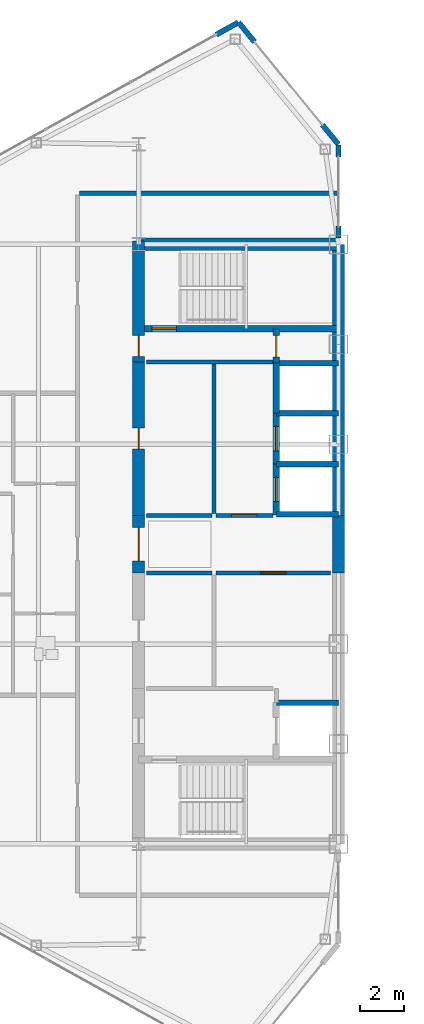
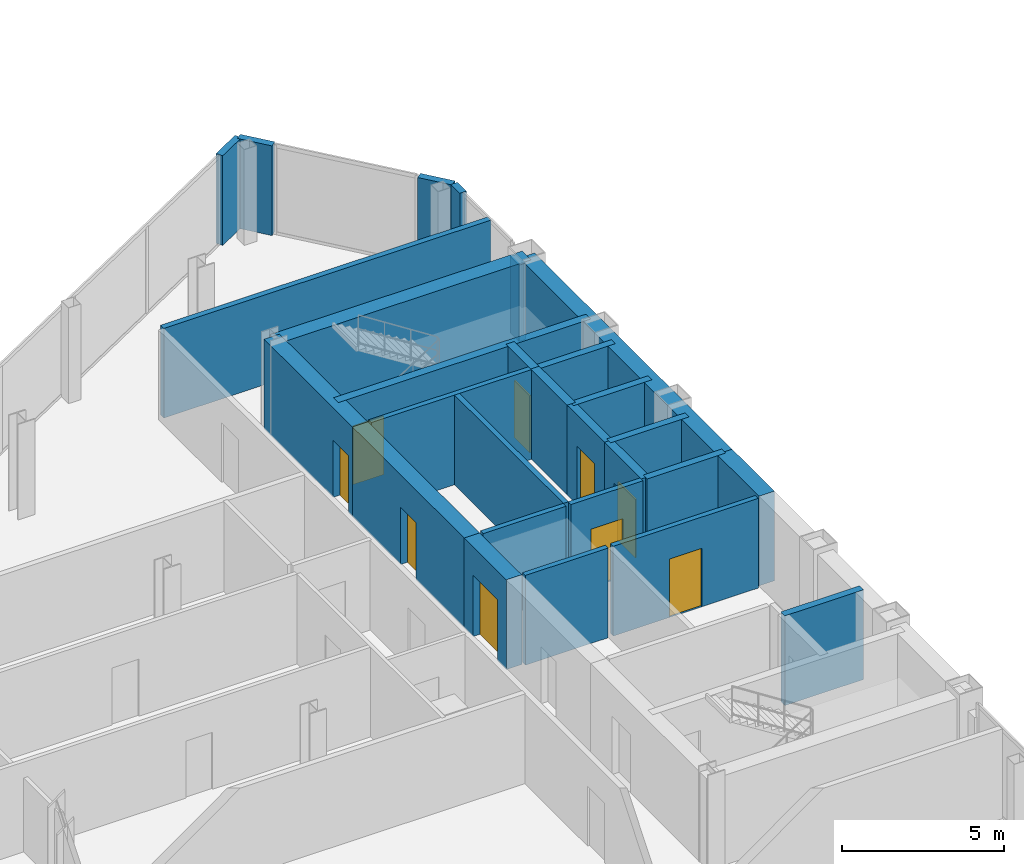
# One storey, part 20 of 25: 28 walls, 9 doors, 9 openings.
"""IFC4 building model written with IfcOpenShell, lengths in metres."""

from ifc_helpers import new_model, si_unit, direction, frame, frame_2d, origin, place, context, subcontext, project, spatial, rectangle, extrude, source, transform, mapped, material, layer, layer_set, type_object, type_shapes, element, fill, save


model = new_model("IFC4")

# Units and contexts
model_context = context("Model", 3, precision=1e-05, world=origin(), true_north=direction((0.0, 1.0)))
body_context = subcontext(model_context, "Body", "Model", "MODEL_VIEW")
ifc_project = project(units=[si_unit("LENGTHUNIT", "METRE"), si_unit("AREAUNIT", "SQUARE_METRE"), si_unit("VOLUMEUNIT", "CUBIC_METRE"), si_unit("PLANEANGLEUNIT", "RADIAN"), si_unit("MASSUNIT", "GRAM", prefix="KILO")], contexts=[model_context])

# Site, building, storey
site_placement = place(None, origin())
site = spatial("IfcSite", under=ifc_project, at=site_placement, CompositionType="ELEMENT")
building_placement = place(site_placement, origin())
building = spatial("IfcBuilding", under=site, at=building_placement, Name="Seokmaru Belvedere", CompositionType="ELEMENT")
storey_placement = place(building_placement, frame((0.0, 0.0, 188.699951171875)))
storey = spatial("IfcBuildingStorey", under=building, at=storey_placement, Name="L50", CompositionType="ELEMENT", Elevation=188.699951171875)

# Walls
ifc_material_1 = material(Name="Fire-Rated Gypsum Shaftwall")
ifc_layer_1 = layer(ifc_material_1, 0.179931640625)
ifc_layer_set_1 = layer_set([ifc_layer_1], Name="Fire-Rated Gypsum Shaftwall")
wall_type_1 = type_object("IfcWallType", Name="Core Service Fire Partition 180", PredefinedType="PARTITIONING", material=ifc_layer_set_1)
wall_1_placement = place(storey_placement, frame((-36.14990234375, 8.199951171875, 0.0), z_axis=(0.0, 0.0, 1.0), x_axis=(1.0, 0.0, 0.0)))
element("IfcWall", 1, at=wall_1_placement, inside=storey, type_object=wall_type_1, Name="L50 West Smokeproof Vestibule Partition", PredefinedType="PARTITIONING", context=body_context, shape_type="SweptSolid", body=[
    extrude(rectangle(XDim=5.699951171875, YDim=0.179931640625, at=frame_2d((2.85009765625, 0.0))), origin(), (0.0, 0.0, 1.0), 3.380126953125),
])
wall_2_placement = place(storey_placement, frame((-33.10009765625, 1.3798828125, 0.0), z_axis=(0.0, 0.0, 1.0), x_axis=(0.0, 1.0, 0.0)))
element("IfcWall", 2, at=wall_2_placement, inside=storey, type_object=wall_type_1, Name="L50 West North Core Service Back Wall", PredefinedType="PARTITIONING", context=body_context, shape_type="SweptSolid", body=[
    extrude(rectangle(XDim=6.740234375, YDim=0.179931640625, at=frame_2d((3.3701171875, 0.0))), origin(), (0.0, 0.0, 1.0), 3.380126953125),
])

# Wall, opening, door
wall_3_placement = place(storey_placement, frame((-33.02001953125, -1.300048828125, 0.0), z_axis=(0.0, 0.0, 1.0), x_axis=(1.0, 0.0, 0.0)))
wall_3 = element("IfcWall", 3, at=wall_3_placement, inside=storey, type_object=wall_type_1, Name="L50 West South Lift Lobby Foyer Wall", PredefinedType="PARTITIONING", context=body_context, shape_type="SweptSolid", body=[
    extrude(rectangle(XDim=5.169921875, YDim=0.179931640625, at=frame_2d((2.5849609375, 0.0))), origin(), (0.0, 0.0, 1.0), 3.380126953125),
])
opening_1_placement = place(wall_3_placement, frame((2.010009765625, 0.0, 0.0)))
opening_1 = element("IfcOpeningElement", 4, at=opening_1_placement, cuts=wall_3, Name="Opening D02", PredefinedType="OPENING", context=body_context, shape_type="SweptSolid", body=[
    extrude(rectangle(XDim=1.14990234375, YDim=2.199951171875, at=frame_2d((0.574951171875, 1.10009765625))), frame((0.0, 0.10009765625, 0.0), z_axis=(0.0, -1.0, 0.0), x_axis=(1.0, 0.0, 0.0)), (0.0, 0.0, 1.0), 0.199951171875),
])
ifc_material_2 = material(Name="Fire-Rated Steel Leaf", Category="steel")
door_type_1 = type_object("IfcDoorType", Name="Lobby and Vestibule Fire Door 1150x2200", OperationType="NOTDEFINED", PredefinedType="DOOR", material=ifc_material_2)
shared_shape_1 = source(origin(), body_context, "Body", "SweptSolid", [
    extrude(rectangle(XDim=1.14990234375, YDim=2.199951171875, at=frame_2d((0.574951171875, 1.10009765625))), frame((0.0, 0.02490234375, 0.0), z_axis=(0.0, -1.0, 0.0), x_axis=(1.0, 0.0, 0.0)), (0.0, 0.0, 1.0), 0.050048828125),
])
type_shapes(door_type_1, [shared_shape_1])
door_1_placement = place(opening_1_placement, origin())
door_1 = element("IfcDoor", 5, at=door_1_placement, inside=storey, type_object=door_type_1, Name="L50 West South Core Foyer Door", OperationType="SINGLE_SWING_LEFT", OverallHeight=2.199951171875, OverallWidth=1.14990234375, PredefinedType="DOOR", context=body_context, shape_type="MappedRepresentation", body=[
    mapped(shared_shape_1, transform((0.0, 0.0, 0.0), scale=1.0)),
])
fill(opening_1, door_1)

wall_4_placement = place(storey_placement, frame((-33.02001953125, 1.300048828125, 0.0), z_axis=(0.0, 0.0, 1.0), x_axis=(1.0, 0.0, 0.0)))
wall_4 = element("IfcWall", 6, at=wall_4_placement, inside=storey, type_object=wall_type_1, Name="L50 West North Lift Lobby Foyer Wall", PredefinedType="PARTITIONING", context=body_context, shape_type="SweptSolid", body=[
    extrude(rectangle(XDim=2.570068359375, YDim=0.179931640625, at=frame_2d((1.28515625, 0.0))), origin(), (0.0, 0.0, 1.0), 3.380126953125),
])
opening_2_placement = place(wall_4_placement, frame((0.7099609375, 0.0, 0.0)))
opening_2 = element("IfcOpeningElement", 7, at=opening_2_placement, cuts=wall_4, Name="Opening D02", PredefinedType="OPENING", context=body_context, shape_type="SweptSolid", body=[
    extrude(rectangle(XDim=1.14990234375, YDim=2.199951171875, at=frame_2d((0.574951171875, 1.10009765625))), frame((0.0, 0.10009765625, 0.0), z_axis=(0.0, -1.0, 0.0), x_axis=(1.0, 0.0, 0.0)), (0.0, 0.0, 1.0), 0.199951171875),
])
door_2_placement = place(opening_2_placement, origin())
door_2 = element("IfcDoor", 8, at=door_2_placement, inside=storey, type_object=door_type_1, Name="L50 West North Lift Lobby Door", OperationType="SINGLE_SWING_RIGHT", OverallHeight=2.199951171875, OverallWidth=1.14990234375, PredefinedType="DOOR", context=body_context, shape_type="MappedRepresentation", body=[
    mapped(shared_shape_1, transform((0.0, 0.0, 0.0), scale=1.0)),
])
fill(opening_2, door_2)

# Walls
for number, where, z_axis, x_axis, name in (
    (9, (-36.14990234375, -1.300048828125, 0.0), (0.0, 0.0, 1.0), (1.0, 0.0, 0.0), "L50 West Foyer Side Wall S"),
    (10, (-36.14990234375, 1.300048828125, 0.0), (0.0, 0.0, 1.0), (1.0, 0.0, 0.0), "L50 West Foyer Side Wall N"),
):
    element("IfcWall", number, at=place(storey_placement, frame(where, z_axis=z_axis, x_axis=x_axis)), inside=storey, type_object=wall_type_1, Name=name, PredefinedType="PARTITIONING", context=body_context, shape_type="SweptSolid", body=[
        extrude(rectangle(XDim=2.949951171875, YDim=0.179931640625, at=frame_2d((1.47509765625, 0.0))), origin(), (0.0, 0.0, 1.0), 3.380126953125),
    ])
ifc_material_3 = material(Name="Concrete C50 (50 MPa)", Category="concrete")
ifc_layer_2 = layer(ifc_material_3, 0.25)
ifc_layer_set_2 = layer_set([ifc_layer_2], Name="Concrete C50 (50 MPa)")
wall_type_2 = type_object("IfcWallType", Name="Hoistway Transverse Concrete Divider Wall 250", PredefinedType="SHEAR", material=ifc_layer_set_2)
for number, where, z_axis, x_axis, name in (
    (11, (-30.300048828125, -7.14990234375, 0.0), (0.0, 0.0, 1.0), (1.0, 0.0, 0.0), "L50 West Hoistway Divider Core Wall 1"),
    (12, (-30.300048828125, 1.35009765625, 0.0), (0.0, 0.0, 1.0), (1.0, 0.0, 0.0), "L50 West Hoistway Divider Core Wall 2"),
    (13, (-30.300048828125, 3.60009765625, 0.0), (0.0, 0.0, 1.0), (1.0, 0.0, 0.0), "L50 West Hoistway Divider Core Wall 3"),
    (14, (-30.300048828125, 5.89990234375, 0.0), (0.0, 0.0, 1.0), (1.0, 0.0, 0.0), "L50 West Hoistway Divider Core Wall 4"),
    (15, (-30.300048828125, 8.14990234375, 0.0), (0.0, 0.0, 1.0), (1.0, 0.0, 0.0), "L50 West Hoistway Divider Core Wall 5"),
):
    element("IfcWall", number, at=place(storey_placement, frame(where, z_axis=z_axis, x_axis=x_axis)), inside=storey, type_object=wall_type_2, Name=name, PredefinedType="SHEAR", context=body_context, shape_type="SweptSolid", body=[
        extrude(rectangle(XDim=2.800048828125, YDim=0.25, at=frame_2d((1.39990234375, 0.0))), origin(), (0.0, 0.0, 1.0), 3.380126953125),
    ])
ifc_layer_3 = layer(ifc_material_1, 0.199951171875)
ifc_layer_set_3 = layer_set([ifc_layer_3], Name="Fire-Rated Gypsum Shaftwall")
wall_type_3 = type_object("IfcWallType", Name="Inter-Tenancy Fire Compartment Partition 200", PredefinedType="PARTITIONING", material=ifc_layer_set_3)
wall_5_placement = place(storey_placement, frame((-39.1650390625, 15.800048828125, 0.0), z_axis=(0.0, 0.0, 1.0), x_axis=(1.0, 0.0, 0.0)))
element("IfcWall", 16, at=wall_5_placement, inside=storey, type_object=wall_type_3, Name="L50 Interior Partition 015", PredefinedType="PARTITIONING", context=body_context, shape_type="SweptSolid", body=[
    extrude(rectangle(XDim=11.6650390625, YDim=0.199951171875, at=frame_2d((5.83251953125, 0.0))), origin(), (0.0, 0.0, 1.0), 3.380126953125),
])

# Wall, opening, door
ifc_layer_4 = layer(ifc_material_3, 0.300048828125)
ifc_layer_set_4 = layer_set([ifc_layer_4], Name="Concrete C50 (50 MPa)")
wall_type_4 = type_object("IfcWallType", Name="Internal Core Stair and Hoistway Wall 300", PredefinedType="SHEAR", material=ifc_layer_set_4)
wall_6_placement = place(storey_placement, frame((-36.5, 9.699951171875, 0.0), z_axis=(0.0, 0.0, 1.0), x_axis=(1.0, 0.0, 0.0)))
wall_6 = element("IfcWall", 17, at=wall_6_placement, inside=storey, type_object=wall_type_4, Name="L50 West Stair ST-2 Enclosure Wall", PredefinedType="SHEAR", context=body_context, shape_type="SweptSolid", body=[
    extrude(rectangle(XDim=9.0, YDim=0.300048828125, at=frame_2d((4.5, 0.0))), origin(), (0.0, 0.0, 1.0), 3.380126953125),
])
opening_3_placement = place(wall_6_placement, frame((0.60009765625, 0.0, 0.0)))
opening_3 = element("IfcOpeningElement", 18, at=opening_3_placement, cuts=wall_6, Name="Opening D01", PredefinedType="OPENING", context=body_context, shape_type="SweptSolid", body=[
    extrude(rectangle(XDim=1.10009765625, YDim=2.199951171875, at=frame_2d((0.550048828125, 1.10009765625))), frame((0.0, 0.16015625, 0.0), z_axis=(0.0, -1.0, 0.0), x_axis=(1.0, 0.0, 0.0)), (0.0, 0.0, 1.0), 0.320068359375),
])
door_type_2 = type_object("IfcDoorType", Name="Special Escape Stair Smokeproof Fire Door 1100x2200", OperationType="NOTDEFINED", PredefinedType="DOOR", material=ifc_material_2)
shared_shape_2 = source(origin(), body_context, "Body", "SweptSolid", [
    extrude(rectangle(XDim=1.10009765625, YDim=2.199951171875, at=frame_2d((0.550048828125, 1.10009765625))), frame((0.0, 0.02490234375, 0.0), z_axis=(0.0, -1.0, 0.0), x_axis=(1.0, 0.0, 0.0)), (0.0, 0.0, 1.0), 0.050048828125),
])
type_shapes(door_type_2, [shared_shape_2])
door_3_placement = place(opening_3_placement, origin())
door_3 = element("IfcDoor", 19, at=door_3_placement, inside=storey, type_object=door_type_2, Name="L50 West Special Escape Stair ST-2 Door", OperationType="SINGLE_SWING_RIGHT", OverallHeight=2.199951171875, OverallWidth=1.10009765625, PredefinedType="DOOR", context=body_context, shape_type="MappedRepresentation", body=[
    mapped(shared_shape_2, transform((0.0, 0.0, 0.0), scale=1.0)),
])
fill(opening_3, door_3)

wall_7_placement = place(storey_placement, frame((-30.300048828125, 1.320068359375, 0.0), z_axis=(0.0, 0.0, 1.0), x_axis=(0.0, 1.0, 0.0)))
wall_7 = element("IfcWall", 20, at=wall_7_placement, inside=storey, type_object=wall_type_4, Name="L50 West North Hoistway Wall PH1", PredefinedType="SHEAR", context=body_context, shape_type="SweptSolid", body=[
    extrude(rectangle(XDim=2.280029296875, YDim=0.300048828125, at=frame_2d((1.14013671875, 0.0))), origin(), (0.0, 0.0, 1.0), 3.380126953125),
])
opening_4_placement = place(wall_7_placement, frame((0.590087890625, 0.0, 0.0)))
opening_4 = element("IfcOpeningElement", 21, at=opening_4_placement, cuts=wall_7, Name="Opening LD1", PredefinedType="OPENING", context=body_context, shape_type="SweptSolid", body=[
    extrude(rectangle(XDim=1.10009765625, YDim=2.199951171875, at=frame_2d((0.550048828125, 1.10009765625))), frame((0.0, 0.16015625, 0.0), z_axis=(0.0, -1.0, 0.0), x_axis=(1.0, 0.0, 0.0)), (0.0, 0.0, 1.0), 0.320068359375),
])
ifc_material_4 = material(Name="Stainless Steel 316", Category="steel")
door_type_3 = type_object("IfcDoorType", Name="Passenger Lift Sliding Landing Door 1100x2200", OperationType="DOUBLE_DOOR_SLIDING", PredefinedType="DOOR", material=ifc_material_4)
shared_shape_3 = source(origin(), body_context, "Body", "SweptSolid", [
    extrude(rectangle(XDim=1.10009765625, YDim=2.199951171875, at=frame_2d((0.550048828125, 1.10009765625))), frame((0.0, 0.02490234375, 0.0), z_axis=(0.0, -1.0, 0.0), x_axis=(1.0, 0.0, 0.0)), (0.0, 0.0, 1.0), 0.050048828125),
])
type_shapes(door_type_3, [shared_shape_3])
door_4_placement = place(opening_4_placement, origin())
door_4 = element("IfcDoor", 22, at=door_4_placement, inside=storey, type_object=door_type_3, Name="L50 West High-Rise Lift PH-1 Landing Door", OperationType="DOUBLE_DOOR_SLIDING", OverallHeight=2.199951171875, OverallWidth=1.10009765625, PredefinedType="DOOR", context=body_context, shape_type="MappedRepresentation", body=[
    mapped(shared_shape_3, transform((0.0, 0.0, 0.0), scale=1.0)),
])
fill(opening_4, door_4)

wall_8_placement = place(storey_placement, frame((-30.300048828125, 3.60009765625, 0.0), z_axis=(0.0, 0.0, 1.0), x_axis=(0.0, 1.0, 0.0)))
wall_8 = element("IfcWall", 23, at=wall_8_placement, inside=storey, type_object=wall_type_4, Name="L50 West North Hoistway Wall PH2", PredefinedType="SHEAR", context=body_context, shape_type="SweptSolid", body=[
    extrude(rectangle(XDim=2.2998046875, YDim=0.300048828125, at=frame_2d((1.14990234375, 0.0))), origin(), (0.0, 0.0, 1.0), 3.380126953125),
])
opening_5_placement = place(wall_8_placement, frame((0.60009765625, 0.0, 0.0)))
opening_5 = element("IfcOpeningElement", 24, at=opening_5_placement, cuts=wall_8, Name="Opening LD1", PredefinedType="OPENING", context=body_context, shape_type="SweptSolid", body=[
    extrude(rectangle(XDim=1.10009765625, YDim=2.199951171875, at=frame_2d((0.550048828125, 1.10009765625))), frame((0.0, 0.16015625, 0.0), z_axis=(0.0, -1.0, 0.0), x_axis=(1.0, 0.0, 0.0)), (0.0, 0.0, 1.0), 0.320068359375),
])
door_5_placement = place(opening_5_placement, origin())
door_5 = element("IfcDoor", 25, at=door_5_placement, inside=storey, type_object=door_type_3, Name="L50 West High-Rise Lift PH-2 Landing Door", OperationType="DOUBLE_DOOR_SLIDING", OverallHeight=2.199951171875, OverallWidth=1.10009765625, PredefinedType="DOOR", context=body_context, shape_type="MappedRepresentation", body=[
    mapped(shared_shape_3, transform((0.0, 0.0, 0.0), scale=1.0)),
])
fill(opening_5, door_5)

# Wall
wall_9_placement = place(storey_placement, frame((-30.300048828125, 5.89990234375, 0.0), z_axis=(0.0, 0.0, 1.0), x_axis=(0.0, 1.0, 0.0)))
element("IfcWall", 26, at=wall_9_placement, inside=storey, type_object=wall_type_4, Name="L50 West North Hoistway Wall OBS", PredefinedType="SHEAR", context=body_context, shape_type="SweptSolid", body=[
    extrude(rectangle(XDim=2.25, YDim=0.300048828125, at=frame_2d((1.125, 0.0))), origin(), (0.0, 0.0, 1.0), 3.380126953125),
])

# Wall, opening, door
wall_10_placement = place(storey_placement, frame((-30.300048828125, 8.14990234375, 0.0), z_axis=(0.0, 0.0, 1.0), x_axis=(0.0, 1.0, 0.0)))
wall_10 = element("IfcWall", 27, at=wall_10_placement, inside=storey, type_object=wall_type_4, Name="L50 West Electrical Riser Front Wall", PredefinedType="SHEAR", context=body_context, shape_type="SweptSolid", body=[
    extrude(rectangle(XDim=1.530029296875, YDim=0.300048828125, at=frame_2d((0.76513671875, 0.0))), origin(), (0.0, 0.0, 1.0), 3.380126953125),
])
opening_6_placement = place(wall_10_placement, frame((0.284912109375, 0.0, 0.0)))
opening_6 = element("IfcOpeningElement", 28, at=opening_6_placement, cuts=wall_10, Name="Opening D04", PredefinedType="OPENING", context=body_context, shape_type="SweptSolid", body=[
    extrude(rectangle(XDim=0.949951171875, YDim=2.14990234375, at=frame_2d((0.47509765625, 1.074951171875))), frame((0.0, 0.16015625, 0.0), z_axis=(0.0, -1.0, 0.0), x_axis=(1.0, 0.0, 0.0)), (0.0, 0.0, 1.0), 0.320068359375),
])
door_type_4 = type_object("IfcDoorType", Name="Core Service Room Fire Door 950x2150", OperationType="NOTDEFINED", PredefinedType="DOOR", material=ifc_material_2)
shared_shape_4 = source(origin(), body_context, "Body", "SweptSolid", [
    extrude(rectangle(XDim=0.949951171875, YDim=2.14990234375, at=frame_2d((0.47509765625, 1.074951171875))), frame((0.0, 0.02490234375, 0.0), z_axis=(0.0, -1.0, 0.0), x_axis=(1.0, 0.0, 0.0)), (0.0, 0.0, 1.0), 0.050048828125),
])
type_shapes(door_type_4, [shared_shape_4])
door_6_placement = place(opening_6_placement, origin())
door_6 = element("IfcDoor", 29, at=door_6_placement, inside=storey, type_object=door_type_4, Name="L50 West Electrical Riser Access Door", OperationType="SINGLE_SWING_LEFT", OverallHeight=2.14990234375, OverallWidth=0.949951171875, PredefinedType="DOOR", context=body_context, shape_type="MappedRepresentation", body=[
    mapped(shared_shape_4, transform((0.0, 0.0, 0.0), scale=1.0)),
])
fill(opening_6, door_6)

# Walls
ifc_layer_5 = layer(ifc_material_3, 0.550048828125)
ifc_layer_set_5 = layer_set([ifc_layer_5], Name="Concrete C50 (50 MPa)")
wall_type_5 = type_object("IfcWallType", Name="Mid-High Reinforced Concrete Core Wall 550", PredefinedType="SHEAR", material=ifc_layer_set_5)
wall_11_placement = place(storey_placement, frame((-27.5, 1.300048828125, 0.0), z_axis=(0.0, 0.0, 1.0), x_axis=(0.0, 1.0, 0.0)))
element("IfcWall", 30, at=wall_11_placement, inside=storey, type_object=wall_type_5, Name="L50 West Portal Spine Core Wall North", PredefinedType="SHEAR", context=body_context, shape_type="SweptSolid", body=[
    extrude(rectangle(XDim=12.199951171875, YDim=0.550048828125, at=frame_2d((6.10009765625, 0.0))), origin(), (0.0, 0.0, 1.0), 3.380126953125),
])
wall_12_placement = place(storey_placement, frame((-27.5, -1.300048828125, 0.0), z_axis=(0.0, 0.0, 1.0), x_axis=(0.0, 1.0, 0.0)))
element("IfcWall", 31, at=wall_12_placement, inside=storey, type_object=wall_type_5, Name="L50 West Portal Spine Core Wall Center", PredefinedType="SHEAR", context=body_context, shape_type="SweptSolid", body=[
    extrude(rectangle(XDim=2.60009765625, YDim=0.550048828125, at=frame_2d((1.300048828125, 0.0))), origin(), (0.0, 0.0, 1.0), 3.380126953125),
])
wall_13_placement = place(storey_placement, frame((-36.5, 13.5, 0.0), z_axis=(0.0, 0.0, 1.0), x_axis=(1.0, 0.0, 0.0)))
element("IfcWall", 32, at=wall_13_placement, inside=storey, type_object=wall_type_5, Name="L50 West North Core Wall", PredefinedType="SHEAR", context=body_context, shape_type="SweptSolid", body=[
    extrude(rectangle(XDim=9.0, YDim=0.550048828125, at=frame_2d((4.5, 0.0))), origin(), (0.0, 0.0, 1.0), 3.380126953125),
])

# Wall, opening, door
wall_14_placement = place(storey_placement, frame((-36.5, -1.300048828125, 0.0), z_axis=(0.0, 0.0, 1.0), x_axis=(0.0, 1.0, 0.0)))
wall_14 = element("IfcWall", 33, at=wall_14_placement, inside=storey, type_object=wall_type_5, Name="L50 West West Core Wall FOY", PredefinedType="SHEAR", context=body_context, shape_type="SweptSolid", body=[
    extrude(rectangle(XDim=2.60009765625, YDim=0.550048828125, at=frame_2d((1.300048828125, 0.0))), origin(), (0.0, 0.0, 1.0), 3.380126953125),
])
opening_7_placement = place(wall_14_placement, frame((0.550048828125, 0.0, 0.0)))
opening_7 = element("IfcOpeningElement", 34, at=opening_7_placement, cuts=wall_14, Name="Opening D08", PredefinedType="OPENING", context=body_context, shape_type="SweptSolid", body=[
    extrude(rectangle(XDim=1.5, YDim=2.300048828125, at=frame_2d((0.75, 1.14990234375))), frame((0.0, 0.28515625, 0.0), z_axis=(0.0, -1.0, 0.0), x_axis=(1.0, 0.0, 0.0)), (0.0, 0.0, 1.0), 0.570068359375),
])
door_type_5 = type_object("IfcDoorType", Name="Cross-Corridor Compartment Double Fire Door 1500x2300", OperationType="DOUBLE_SWING_LEFT", PredefinedType="DOOR", material=ifc_material_2)
shared_shape_5 = source(origin(), body_context, "Body", "SweptSolid", [
    extrude(rectangle(XDim=1.5, YDim=2.300048828125, at=frame_2d((0.75, 1.14990234375))), frame((0.0, 0.02490234375, 0.0), z_axis=(0.0, -1.0, 0.0), x_axis=(1.0, 0.0, 0.0)), (0.0, 0.0, 1.0), 0.050048828125),
])
type_shapes(door_type_5, [shared_shape_5])
door_7_placement = place(opening_7_placement, origin())
door_7 = element("IfcDoor", 35, at=door_7_placement, inside=storey, type_object=door_type_5, Name="L50 West Core Foyer Compartment Door", OperationType="DOUBLE_SWING_LEFT", OverallHeight=2.300048828125, OverallWidth=1.5, PredefinedType="DOOR", context=body_context, shape_type="MappedRepresentation", body=[
    mapped(shared_shape_5, transform((0.0, 0.0, 0.0), scale=1.0)),
])
fill(opening_7, door_7)

wall_15_placement = place(storey_placement, frame((-36.5, 8.199951171875, 0.0), z_axis=(0.0, 0.0, 1.0), x_axis=(0.0, 1.0, 0.0)))
wall_15 = element("IfcWall", 36, at=wall_15_placement, inside=storey, type_object=wall_type_5, Name="L50 West West Core Wall VST", PredefinedType="SHEAR", context=body_context, shape_type="SweptSolid", body=[
    extrude(rectangle(XDim=5.449951171875, YDim=0.550048828125, at=frame_2d((2.72509765625, 0.0))), origin(), (0.0, 0.0, 1.0), 3.380126953125),
])
opening_8_placement = place(wall_15_placement, frame((0.2451171875, 0.0, 0.0)))
opening_8 = element("IfcOpeningElement", 37, at=opening_8_placement, cuts=wall_15, Name="Opening D04", PredefinedType="OPENING", context=body_context, shape_type="SweptSolid", body=[
    extrude(rectangle(XDim=0.949951171875, YDim=2.14990234375, at=frame_2d((0.47509765625, 1.074951171875))), frame((0.0, 0.28515625, 0.0), z_axis=(0.0, -1.0, 0.0), x_axis=(1.0, 0.0, 0.0)), (0.0, 0.0, 1.0), 0.570068359375),
])
door_8_placement = place(opening_8_placement, frame((0.949951171875, 0.0, 0.0), z_axis=(0.0, 0.0, 1.0), x_axis=(-1.0, 0.0, 0.0)))
door_8 = element("IfcDoor", 38, at=door_8_placement, inside=storey, type_object=door_type_4, Name="L50 West Smokeproof Vestibule Door", OperationType="SINGLE_SWING_RIGHT", OverallHeight=2.14990234375, OverallWidth=0.949951171875, PredefinedType="DOOR", context=body_context, shape_type="MappedRepresentation", body=[
    mapped(shared_shape_4, transform((0.0, 0.0, 0.0), scale=1.0)),
])
fill(opening_8, door_8)

wall_16_placement = place(storey_placement, frame((-36.5, 1.300048828125, 0.0), z_axis=(0.0, 0.0, 1.0), x_axis=(0.0, 1.0, 0.0)))
wall_16 = element("IfcWall", 39, at=wall_16_placement, inside=storey, type_object=wall_type_5, Name="L50 West West Core Wall CS2", PredefinedType="SHEAR", context=body_context, shape_type="SweptSolid", body=[
    extrude(rectangle(XDim=6.89990234375, YDim=0.550048828125, at=frame_2d((3.449951171875, 0.0))), origin(), (0.0, 0.0, 1.0), 3.380126953125),
])
opening_9_placement = place(wall_16_placement, frame((2.97509765625, 0.0, 0.0)))
opening_9 = element("IfcOpeningElement", 40, at=opening_9_placement, cuts=wall_16, Name="Opening D04", PredefinedType="OPENING", context=body_context, shape_type="SweptSolid", body=[
    extrude(rectangle(XDim=0.949951171875, YDim=2.14990234375, at=frame_2d((0.47509765625, 1.074951171875))), frame((0.0, 0.28515625, 0.0), z_axis=(0.0, -1.0, 0.0), x_axis=(1.0, 0.0, 0.0)), (0.0, 0.0, 1.0), 0.570068359375),
])
door_9_placement = place(opening_9_placement, origin())
door_9 = element("IfcDoor", 41, at=door_9_placement, inside=storey, type_object=door_type_4, Name="L50 West Core Service Room Door 2", OperationType="SINGLE_SWING_RIGHT", OverallHeight=2.14990234375, OverallWidth=0.949951171875, PredefinedType="DOOR", context=body_context, shape_type="MappedRepresentation", body=[
    mapped(shared_shape_4, transform((0.0, 0.0, 0.0), scale=1.0)),
])
fill(opening_9, door_9)

# Walls
ifc_material_5 = material(Name="Anodised Bronze Aluminium", Category="aluminium")
ifc_layer_6 = layer(ifc_material_5, 0.239990234375)
ifc_layer_set_6 = layer_set([ifc_layer_6], Name="Anodised Bronze Aluminium")
wall_type_6 = type_object("IfcWallType", Name="Tower Corner Spandrel Closure Wall 240", PredefinedType="SOLIDWALL", material=ifc_layer_set_6)
wall_17_placement = place(storey_placement, frame((-27.5, 13.780029296875, 0.0), z_axis=(0.0, 0.0, 1.0), x_axis=(0.0, 1.0, 0.0)))
element("IfcWall", 42, at=wall_17_placement, inside=storey, type_object=wall_type_6, Name="L50 W Spine Closure Pier 2A", PredefinedType="SOLIDWALL", context=body_context, shape_type="SweptSolid", body=[
    extrude(rectangle(XDim=0.550048828125, YDim=0.239990234375, at=frame_2d((0.27490234375, 0.0))), origin(), (0.0, 0.0, 1.0), 2.880126953125),
])
wall_18_placement = place(storey_placement, frame((-27.5, 17.429931640625, 0.0), z_axis=(0.0, 0.0, 1.0), x_axis=(0.0, 1.0, 0.0)))
element("IfcWall", 43, at=wall_18_placement, inside=storey, type_object=wall_type_6, Name="L50 W Spine Closure Pier 2B", PredefinedType="SOLIDWALL", context=body_context, shape_type="SweptSolid", body=[
    extrude(rectangle(XDim=0.550048828125, YDim=0.239990234375, at=frame_2d((0.27490234375, 0.0))), origin(), (0.0, 0.0, 1.0), 3.380126953125),
])
for number, where, z_axis, x_axis, name in (
    (44, (-27.50634765625, 18.0078125, 0.0), (0.0, 0.0, 1.0), (-0.633249451965, 0.77394775766, 0.0), "L50 W Corner Closure Pier 2A"),
    (45, (-31.271728515625, 22.60986328125, 0.0), (0.0, 0.0, 1.0), (-0.633249451965, 0.77394775766, 0.0), "L50 W Corner Closure Pier 2B"),
):
    element("IfcWall", number, at=place(storey_placement, frame(where, z_axis=z_axis, x_axis=x_axis)), inside=storey, type_object=wall_type_6, Name=name, PredefinedType="SOLIDWALL", context=body_context, shape_type="SweptSolid", body=[
        extrude(rectangle(XDim=1.14013671875, YDim=0.239990234375, at=frame_2d((0.570068359375, 0.0))), origin(), (0.0, 0.0, 1.0), 3.380126953125),
    ])
wall_19_placement = place(storey_placement, frame((-32.0087890625, 23.4951171875, 0.0), z_axis=(0.0, 0.0, 1.0), x_axis=(-0.87385402111, -0.486188389196, 0.0)))
element("IfcWall", 46, at=wall_19_placement, inside=storey, type_object=wall_type_6, Name="L50 W Corner Closure Pier 3A", PredefinedType="SOLIDWALL", context=body_context, shape_type="SweptSolid", body=[
    extrude(rectangle(XDim=1.139892578125, YDim=0.239990234375, at=frame_2d((0.56982421875, 0.0))), origin(), (0.0, 0.0, 1.0), 3.380126953125),
])

save(model, "model.ifc")
